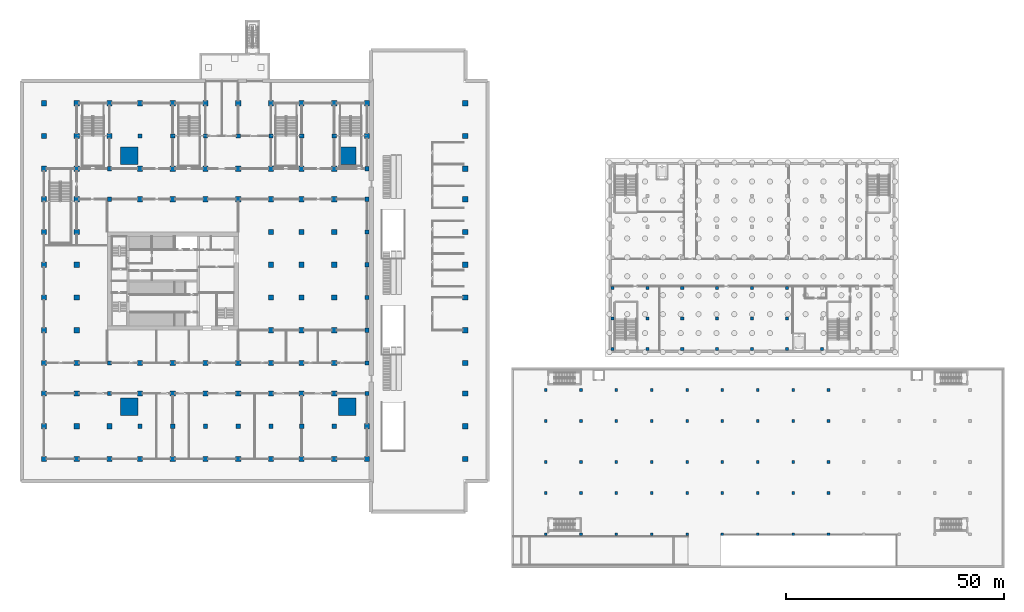
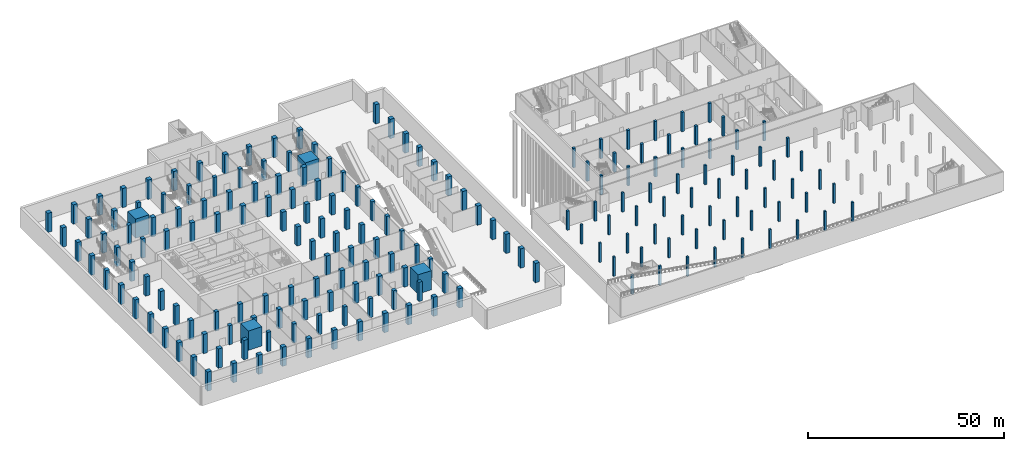
# One storey, part 2 of 45: 192 columns.
"""IFC4 building model written with IfcOpenShell, lengths in metres."""

from ifc_helpers import new_model, si_unit, direction, frame, origin, origin_2d, place, context, subcontext, project, spatial, rectangle, extrude, material, material_profile, profile_set, type_object, element, save


model = new_model("IFC4")

# Units and contexts
model_context = context("Model", 3, precision=1e-05, world=origin(), true_north=direction((0.0, 1.0)))
body_context = subcontext(model_context, "Body", "Model", "MODEL_VIEW")
ifc_project = project(units=[si_unit("LENGTHUNIT", "METRE"), si_unit("AREAUNIT", "SQUARE_METRE"), si_unit("VOLUMEUNIT", "CUBIC_METRE"), si_unit("PLANEANGLEUNIT", "RADIAN"), si_unit("MASSUNIT", "GRAM", prefix="KILO")], contexts=[model_context])

# Site, building, storey
site_placement = place(None, origin())
site = spatial("IfcSite", under=ifc_project, at=site_placement, CompositionType="ELEMENT")
building_placement = place(site_placement, origin())
building = spatial("IfcBuilding", under=site, at=building_placement, Name="Tamorin Gate", CompositionType="ELEMENT")
storey_placement = place(building_placement, frame((0.0, 0.0, -6.0)))
storey = spatial("IfcBuildingStorey", under=building, at=storey_placement, Name="B1", CompositionType="ELEMENT", Elevation=-6.0)

# Columns
ifc_material_1 = material(Name="Concrete C80/95", Category="concrete")
ifc_material_profile_1 = material_profile(ifc_material_1, rectangle(XDim=1.0, YDim=1.0, at=origin_2d()), Name="RC 1000x1000")
ifc_profile_set_1 = profile_set([ifc_material_profile_1], Name="Concrete C80/95")
column_type_1 = type_object("IfcColumnType", Name="RC column 1000x1000 C80/95", PredefinedType="COLUMN", material=ifc_profile_set_1)
for number, where, z_axis, x_axis, name in (
    (1, (30.5, 45.5, 0.0), (0.0, 0.0, 1.0), (1.0, 0.0, 0.0), "Ring column B1"),
    (2, (30.5, 52.5, 0.0), (0.0, 0.0, 1.0), (1.0, 0.0, 0.0), "Ring column B1"),
    (3, (30.5, 90.0, 0.0), (0.0, 0.0, 1.0), (1.0, 0.0, 0.0), "Ring column B1"),
    (4, (30.5, 97.0, 0.0), (0.0, 0.0, 1.0), (1.0, 0.0, 0.0), "Ring column B1"),
    (5, (37.5, 38.0, 0.0), (0.0, 0.0, 1.0), (1.0, 0.0, 0.0), "Ring column B1"),
    (6, (37.5, 104.5, 0.0), (0.0, 0.0, 1.0), (1.0, 0.0, 0.0), "Ring column B1"),
    (7, (45.0, 38.0, 0.0), (0.0, 0.0, 1.0), (1.0, 0.0, 0.0), "Ring column B1"),
    (8, (45.0, 104.5, 0.0), (0.0, 0.0, 1.0), (1.0, 0.0, 0.0), "Ring column B1"),
    (9, (52.5, 38.0, 0.0), (0.0, 0.0, 1.0), (1.0, 0.0, 0.0), "Ring column B1"),
    (10, (52.5, 104.5, 0.0), (0.0, 0.0, 1.0), (1.0, 0.0, 0.0), "Ring column B1"),
    (11, (60.0, 38.0, 0.0), (0.0, 0.0, 1.0), (1.0, 0.0, 0.0), "Ring column B1"),
    (12, (60.0, 104.5, 0.0), (0.0, 0.0, 1.0), (1.0, 0.0, 0.0), "Ring column B1"),
    (13, (67.5, 38.0, 0.0), (0.0, 0.0, 1.0), (1.0, 0.0, 0.0), "Ring column B1"),
    (14, (67.5, 104.5, 0.0), (0.0, 0.0, 1.0), (1.0, 0.0, 0.0), "Ring column B1"),
    (15, (74.5, 38.0, 0.0), (0.0, 0.0, 1.0), (1.0, 0.0, 0.0), "Ring column B1"),
    (16, (74.5, 104.5, 0.0), (0.0, 0.0, 1.0), (1.0, 0.0, 0.0), "Ring column B1"),
    (17, (82.0, 38.0, 0.0), (0.0, 0.0, 1.0), (1.0, 0.0, 0.0), "Ring column B1"),
    (18, (82.0, 104.5, 0.0), (0.0, 0.0, 1.0), (1.0, 0.0, 0.0), "Ring column B1"),
    (19, (89.5, 45.5, 0.0), (0.0, 0.0, 1.0), (1.0, 0.0, 0.0), "Ring column B1"),
    (20, (89.5, 52.5, 0.0), (0.0, 0.0, 1.0), (1.0, 0.0, 0.0), "Ring column B1"),
    (21, (89.5, 60.0, 0.0), (0.0, 0.0, 1.0), (1.0, 0.0, 0.0), "Ring column B1"),
    (22, (89.5, 67.5, 0.0), (0.0, 0.0, 1.0), (1.0, 0.0, 0.0), "Ring column B1"),
    (23, (89.5, 75.0, 0.0), (0.0, 0.0, 1.0), (1.0, 0.0, 0.0), "Ring column B1"),
    (24, (89.5, 82.5, 0.0), (0.0, 0.0, 1.0), (1.0, 0.0, 0.0), "Ring column B1"),
    (25, (89.5, 90.0, 0.0), (0.0, 0.0, 1.0), (1.0, 0.0, 0.0), "Ring column B1"),
    (26, (89.5, 97.0, 0.0), (0.0, 0.0, 1.0), (1.0, 0.0, 0.0), "Ring column B1"),
):
    element("IfcColumn", number, at=place(storey_placement, frame(where, z_axis=z_axis, x_axis=x_axis)), inside=storey, type_object=column_type_1, Name=name, PredefinedType="COLUMN", context=body_context, shape_type="SweptSolid", body=[
        extrude(rectangle(XDim=1.0, YDim=1.0, at=origin_2d()), origin(), (0.0, 0.0, 1.0), 6.0),
    ])
ifc_material_profile_2 = material_profile(ifc_material_1, rectangle(XDim=1.199951171875, YDim=1.199951171875, at=origin_2d()), Name="RC 1200x1200")
ifc_profile_set_2 = profile_set([ifc_material_profile_2], Name="Concrete C80/95")
column_type_2 = type_object("IfcColumnType", Name="RC column 1200x1200 C80/95", PredefinedType="COLUMN", material=ifc_profile_set_2)
for number, where, z_axis, x_axis, name in (
    (27, (37.5, 45.5, 0.0), (0.0, 0.0, 1.0), (1.0, 0.0, 0.0), "Interior column B1"),
    (28, (37.5, 52.5, 0.0), (0.0, 0.0, 1.0), (1.0, 0.0, 0.0), "Interior column B1"),
    (29, (37.5, 90.0, 0.0), (0.0, 0.0, 1.0), (1.0, 0.0, 0.0), "Interior column B1"),
    (30, (37.5, 97.0, 0.0), (0.0, 0.0, 1.0), (1.0, 0.0, 0.0), "Interior column B1"),
    (31, (45.0, 45.5, 0.0), (0.0, 0.0, 1.0), (1.0, 0.0, 0.0), "Interior column B1"),
    (32, (45.0, 52.5, 0.0), (0.0, 0.0, 1.0), (1.0, 0.0, 0.0), "Interior column B1"),
    (33, (45.0, 90.0, 0.0), (0.0, 0.0, 1.0), (1.0, 0.0, 0.0), "Interior column B1"),
    (34, (45.0, 97.0, 0.0), (0.0, 0.0, 1.0), (1.0, 0.0, 0.0), "Interior column B1"),
    (35, (52.5, 45.5, 0.0), (0.0, 0.0, 1.0), (1.0, 0.0, 0.0), "Interior column B1"),
    (36, (52.5, 52.5, 0.0), (0.0, 0.0, 1.0), (1.0, 0.0, 0.0), "Interior column B1"),
    (37, (52.5, 90.0, 0.0), (0.0, 0.0, 1.0), (1.0, 0.0, 0.0), "Interior column B1"),
    (38, (52.5, 97.0, 0.0), (0.0, 0.0, 1.0), (1.0, 0.0, 0.0), "Interior column B1"),
    (39, (60.0, 45.5, 0.0), (0.0, 0.0, 1.0), (1.0, 0.0, 0.0), "Interior column B1"),
    (40, (60.0, 52.5, 0.0), (0.0, 0.0, 1.0), (1.0, 0.0, 0.0), "Interior column B1"),
    (41, (60.0, 90.0, 0.0), (0.0, 0.0, 1.0), (1.0, 0.0, 0.0), "Interior column B1"),
    (42, (60.0, 97.0, 0.0), (0.0, 0.0, 1.0), (1.0, 0.0, 0.0), "Interior column B1"),
    (43, (67.5, 45.5, 0.0), (0.0, 0.0, 1.0), (1.0, 0.0, 0.0), "Interior column B1"),
    (44, (67.5, 52.5, 0.0), (0.0, 0.0, 1.0), (1.0, 0.0, 0.0), "Interior column B1"),
    (45, (67.5, 60.0, 0.0), (0.0, 0.0, 1.0), (1.0, 0.0, 0.0), "Interior column B1"),
    (46, (67.5, 67.5, 0.0), (0.0, 0.0, 1.0), (1.0, 0.0, 0.0), "Interior column B1"),
    (47, (67.5, 75.0, 0.0), (0.0, 0.0, 1.0), (1.0, 0.0, 0.0), "Interior column B1"),
    (48, (67.5, 82.5, 0.0), (0.0, 0.0, 1.0), (1.0, 0.0, 0.0), "Interior column B1"),
    (49, (67.5, 90.0, 0.0), (0.0, 0.0, 1.0), (1.0, 0.0, 0.0), "Interior column B1"),
    (50, (67.5, 97.0, 0.0), (0.0, 0.0, 1.0), (1.0, 0.0, 0.0), "Interior column B1"),
    (51, (74.5, 45.5, 0.0), (0.0, 0.0, 1.0), (1.0, 0.0, 0.0), "Interior column B1"),
    (52, (74.5, 52.5, 0.0), (0.0, 0.0, 1.0), (1.0, 0.0, 0.0), "Interior column B1"),
    (53, (74.5, 60.0, 0.0), (0.0, 0.0, 1.0), (1.0, 0.0, 0.0), "Interior column B1"),
    (54, (74.5, 67.5, 0.0), (0.0, 0.0, 1.0), (1.0, 0.0, 0.0), "Interior column B1"),
    (55, (74.5, 75.0, 0.0), (0.0, 0.0, 1.0), (1.0, 0.0, 0.0), "Interior column B1"),
    (56, (74.5, 82.5, 0.0), (0.0, 0.0, 1.0), (1.0, 0.0, 0.0), "Interior column B1"),
    (57, (74.5, 90.0, 0.0), (0.0, 0.0, 1.0), (1.0, 0.0, 0.0), "Interior column B1"),
    (58, (74.5, 97.0, 0.0), (0.0, 0.0, 1.0), (1.0, 0.0, 0.0), "Interior column B1"),
    (59, (82.0, 45.5, 0.0), (0.0, 0.0, 1.0), (1.0, 0.0, 0.0), "Interior column B1"),
    (60, (82.0, 52.5, 0.0), (0.0, 0.0, 1.0), (1.0, 0.0, 0.0), "Interior column B1"),
    (61, (82.0, 60.0, 0.0), (0.0, 0.0, 1.0), (1.0, 0.0, 0.0), "Interior column B1"),
    (62, (82.0, 67.5, 0.0), (0.0, 0.0, 1.0), (1.0, 0.0, 0.0), "Interior column B1"),
    (63, (82.0, 75.0, 0.0), (0.0, 0.0, 1.0), (1.0, 0.0, 0.0), "Interior column B1"),
    (64, (82.0, 82.5, 0.0), (0.0, 0.0, 1.0), (1.0, 0.0, 0.0), "Interior column B1"),
    (65, (82.0, 90.0, 0.0), (0.0, 0.0, 1.0), (1.0, 0.0, 0.0), "Interior column B1"),
    (66, (82.0, 97.0, 0.0), (0.0, 0.0, 1.0), (1.0, 0.0, 0.0), "Interior column B1"),
    (67, (15.5, 30.5, 0.0), (0.0, 0.0, 1.0), (1.0, 0.0, 0.0), "Podium column B1"),
    (68, (15.5, 38.0, 0.0), (0.0, 0.0, 1.0), (1.0, 0.0, 0.0), "Podium column B1"),
    (69, (15.5, 45.5, 0.0), (0.0, 0.0, 1.0), (1.0, 0.0, 0.0), "Podium column B1"),
    (70, (15.5, 52.5, 0.0), (0.0, 0.0, 1.0), (1.0, 0.0, 0.0), "Podium column B1"),
    (71, (15.5, 60.0, 0.0), (0.0, 0.0, 1.0), (1.0, 0.0, 0.0), "Podium column B1"),
    (72, (15.5, 67.5, 0.0), (0.0, 0.0, 1.0), (1.0, 0.0, 0.0), "Podium column B1"),
    (73, (15.5, 75.0, 0.0), (0.0, 0.0, 1.0), (1.0, 0.0, 0.0), "Podium column B1"),
    (74, (15.5, 82.5, 0.0), (0.0, 0.0, 1.0), (1.0, 0.0, 0.0), "Podium column B1"),
    (75, (15.5, 90.0, 0.0), (0.0, 0.0, 1.0), (1.0, 0.0, 0.0), "Podium column B1"),
    (76, (15.5, 97.0, 0.0), (0.0, 0.0, 1.0), (1.0, 0.0, 0.0), "Podium column B1"),
    (77, (15.5, 104.5, 0.0), (0.0, 0.0, 1.0), (1.0, 0.0, 0.0), "Podium column B1"),
    (78, (15.5, 112.0, 0.0), (0.0, 0.0, 1.0), (1.0, 0.0, 0.0), "Podium column B1"),
    (79, (23.0, 30.5, 0.0), (0.0, 0.0, 1.0), (1.0, 0.0, 0.0), "Podium column B1"),
    (80, (23.0, 38.0, 0.0), (0.0, 0.0, 1.0), (1.0, 0.0, 0.0), "Podium column B1"),
    (81, (23.0, 45.5, 0.0), (0.0, 0.0, 1.0), (1.0, 0.0, 0.0), "Podium column B1"),
    (82, (23.0, 52.5, 0.0), (0.0, 0.0, 1.0), (1.0, 0.0, 0.0), "Podium column B1"),
    (83, (23.0, 60.0, 0.0), (0.0, 0.0, 1.0), (1.0, 0.0, 0.0), "Podium column B1"),
    (84, (23.0, 67.5, 0.0), (0.0, 0.0, 1.0), (1.0, 0.0, 0.0), "Podium column B1"),
    (85, (23.0, 75.0, 0.0), (0.0, 0.0, 1.0), (1.0, 0.0, 0.0), "Podium column B1"),
    (86, (23.0, 82.5, 0.0), (0.0, 0.0, 1.0), (1.0, 0.0, 0.0), "Podium column B1"),
    (87, (23.0, 90.0, 0.0), (0.0, 0.0, 1.0), (1.0, 0.0, 0.0), "Podium column B1"),
    (88, (23.0, 97.0, 0.0), (0.0, 0.0, 1.0), (1.0, 0.0, 0.0), "Podium column B1"),
    (89, (23.0, 104.5, 0.0), (0.0, 0.0, 1.0), (1.0, 0.0, 0.0), "Podium column B1"),
    (90, (23.0, 112.0, 0.0), (0.0, 0.0, 1.0), (1.0, 0.0, 0.0), "Podium column B1"),
    (91, (30.5, 30.5, 0.0), (0.0, 0.0, 1.0), (1.0, 0.0, 0.0), "Podium column B1"),
    (92, (30.5, 38.0, 0.0), (0.0, 0.0, 1.0), (1.0, 0.0, 0.0), "Podium column B1"),
    (93, (30.5, 104.5, 0.0), (0.0, 0.0, 1.0), (1.0, 0.0, 0.0), "Podium column B1"),
    (94, (30.5, 112.0, 0.0), (0.0, 0.0, 1.0), (1.0, 0.0, 0.0), "Podium column B1"),
    (95, (37.5, 30.5, 0.0), (0.0, 0.0, 1.0), (1.0, 0.0, 0.0), "Podium column B1"),
    (96, (37.5, 112.0, 0.0), (0.0, 0.0, 1.0), (1.0, 0.0, 0.0), "Podium column B1"),
    (97, (45.0, 30.5, 0.0), (0.0, 0.0, 1.0), (1.0, 0.0, 0.0), "Podium column B1"),
    (98, (45.0, 112.0, 0.0), (0.0, 0.0, 1.0), (1.0, 0.0, 0.0), "Podium column B1"),
    (99, (52.5, 30.5, 0.0), (0.0, 0.0, 1.0), (1.0, 0.0, 0.0), "Podium column B1"),
    (100, (52.5, 112.0, 0.0), (0.0, 0.0, 1.0), (1.0, 0.0, 0.0), "Podium column B1"),
    (101, (60.0, 30.5, 0.0), (0.0, 0.0, 1.0), (1.0, 0.0, 0.0), "Podium column B1"),
    (102, (60.0, 112.0, 0.0), (0.0, 0.0, 1.0), (1.0, 0.0, 0.0), "Podium column B1"),
    (103, (67.5, 30.5, 0.0), (0.0, 0.0, 1.0), (1.0, 0.0, 0.0), "Podium column B1"),
    (104, (67.5, 112.0, 0.0), (0.0, 0.0, 1.0), (1.0, 0.0, 0.0), "Podium column B1"),
    (105, (74.5, 30.5, 0.0), (0.0, 0.0, 1.0), (1.0, 0.0, 0.0), "Podium column B1"),
    (106, (74.5, 112.0, 0.0), (0.0, 0.0, 1.0), (1.0, 0.0, 0.0), "Podium column B1"),
    (107, (82.0, 30.5, 0.0), (0.0, 0.0, 1.0), (1.0, 0.0, 0.0), "Podium column B1"),
    (108, (82.0, 112.0, 0.0), (0.0, 0.0, 1.0), (1.0, 0.0, 0.0), "Podium column B1"),
    (109, (89.5, 30.5, 0.0), (0.0, 0.0, 1.0), (1.0, 0.0, 0.0), "Podium column B1"),
    (110, (89.5, 38.0, 0.0), (0.0, 0.0, 1.0), (1.0, 0.0, 0.0), "Podium column B1"),
    (111, (89.5, 104.5, 0.0), (0.0, 0.0, 1.0), (1.0, 0.0, 0.0), "Podium column B1"),
    (112, (89.5, 112.0, 0.0), (0.0, 0.0, 1.0), (1.0, 0.0, 0.0), "Podium column B1"),
    (113, (112.0, 30.5, 0.0), (0.0, 0.0, 1.0), (1.0, 0.0, 0.0), "Podium column B1"),
    (114, (112.0, 38.0, 0.0), (0.0, 0.0, 1.0), (1.0, 0.0, 0.0), "Podium column B1"),
    (115, (112.0, 45.5, 0.0), (0.0, 0.0, 1.0), (1.0, 0.0, 0.0), "Podium column B1"),
    (116, (112.0, 52.5, 0.0), (0.0, 0.0, 1.0), (1.0, 0.0, 0.0), "Podium column B1"),
    (117, (112.0, 60.0, 0.0), (0.0, 0.0, 1.0), (1.0, 0.0, 0.0), "Podium column B1"),
    (118, (112.0, 67.5, 0.0), (0.0, 0.0, 1.0), (1.0, 0.0, 0.0), "Podium column B1"),
    (119, (112.0, 75.0, 0.0), (0.0, 0.0, 1.0), (1.0, 0.0, 0.0), "Podium column B1"),
    (120, (112.0, 82.5, 0.0), (0.0, 0.0, 1.0), (1.0, 0.0, 0.0), "Podium column B1"),
    (121, (112.0, 90.0, 0.0), (0.0, 0.0, 1.0), (1.0, 0.0, 0.0), "Podium column B1"),
    (122, (112.0, 97.0, 0.0), (0.0, 0.0, 1.0), (1.0, 0.0, 0.0), "Podium column B1"),
    (123, (112.0, 104.5, 0.0), (0.0, 0.0, 1.0), (1.0, 0.0, 0.0), "Podium column B1"),
    (124, (112.0, 112.0, 0.0), (0.0, 0.0, 1.0), (1.0, 0.0, 0.0), "Podium column B1"),
):
    element("IfcColumn", number, at=place(storey_placement, frame(where, z_axis=z_axis, x_axis=x_axis)), inside=storey, type_object=column_type_2, Name=name, PredefinedType="COLUMN", context=body_context, shape_type="SweptSolid", body=[
        extrude(rectangle(XDim=1.199951171875, YDim=1.199951171875, at=origin_2d()), origin(), (0.0, 0.0, 1.0), 6.0),
    ])
ifc_material_profile_3 = material_profile(ifc_material_1, rectangle(XDim=4.0, YDim=4.0, at=origin_2d()), Name="RC 4000x4000")
ifc_profile_set_3 = profile_set([ifc_material_profile_3], Name="Concrete C80/95")
column_type_3 = type_object("IfcColumnType", Name="RC column 4000x4000 C80/95", PredefinedType="COLUMN", material=ifc_profile_set_3)
for number, where, z_axis, x_axis, name in (
    (125, (35.0, 42.5, 0.0), (0.0, 0.0, 1.0), (1.0, 0.0, 0.0), "Mega column SW B1"),
    (126, (85.0, 42.5, 0.0), (0.0, 0.0, 1.0), (1.0, 0.0, 0.0), "Mega column SE B1"),
    (127, (35.0, 100.0, 0.0), (0.0, 0.0, 1.0), (1.0, 0.0, 0.0), "Mega column NW B1"),
    (128, (85.0, 100.0, 0.0), (0.0, 0.0, 1.0), (1.0, 0.0, 0.0), "Mega column NE B1"),
):
    element("IfcColumn", number, at=place(storey_placement, frame(where, z_axis=z_axis, x_axis=x_axis)), inside=storey, type_object=column_type_3, Name=name, PredefinedType="COLUMN", context=body_context, shape_type="SweptSolid", body=[
        extrude(rectangle(XDim=4.0, YDim=4.0, at=origin_2d()), origin(), (0.0, 0.0, 1.0), 6.0),
    ])
ifc_material_2 = material(Name="Concrete C50/60", Category="concrete")
ifc_material_profile_4 = material_profile(ifc_material_2, rectangle(XDim=0.60009765625, YDim=0.60009765625, at=origin_2d()))
ifc_profile_set_4 = profile_set([ifc_material_profile_4], Name="Concrete C50/60")
column_type_4 = type_object("IfcColumnType", Name="RC column 600x600 C50/60", PredefinedType="COLUMN", material=ifc_profile_set_4)
for number, where, z_axis, x_axis, name in (
    (129, (130.39990234375, 13.300048828125, 0.0), (0.0, 0.0, 1.0), (1.0, 0.0, 0.0), "Car park column B1"),
    (130, (130.39990234375, 22.699951171875, 0.0), (0.0, 0.0, 1.0), (1.0, 0.0, 0.0), "Car park column B1"),
    (131, (130.39990234375, 29.800048828125, 0.0), (0.0, 0.0, 1.0), (1.0, 0.0, 0.0), "Car park column B1"),
    (132, (130.39990234375, 39.199951171875, 0.0), (0.0, 0.0, 1.0), (1.0, 0.0, 0.0), "Car park column B1"),
    (133, (130.39990234375, 46.300048828125, 0.0), (0.0, 0.0, 1.0), (1.0, 0.0, 0.0), "Car park column B1"),
    (134, (138.5, 13.300048828125, 0.0), (0.0, 0.0, 1.0), (1.0, 0.0, 0.0), "Car park column B1"),
    (135, (138.5, 22.699951171875, 0.0), (0.0, 0.0, 1.0), (1.0, 0.0, 0.0), "Car park column B1"),
    (136, (138.5, 29.800048828125, 0.0), (0.0, 0.0, 1.0), (1.0, 0.0, 0.0), "Car park column B1"),
    (137, (138.5, 39.199951171875, 0.0), (0.0, 0.0, 1.0), (1.0, 0.0, 0.0), "Car park column B1"),
    (138, (138.5, 46.300048828125, 0.0), (0.0, 0.0, 1.0), (1.0, 0.0, 0.0), "Car park column B1"),
    (139, (146.60009765625, 13.300048828125, 0.0), (0.0, 0.0, 1.0), (1.0, 0.0, 0.0), "Car park column B1"),
    (140, (146.60009765625, 22.699951171875, 0.0), (0.0, 0.0, 1.0), (1.0, 0.0, 0.0), "Car park column B1"),
    (141, (146.60009765625, 29.800048828125, 0.0), (0.0, 0.0, 1.0), (1.0, 0.0, 0.0), "Car park column B1"),
    (142, (146.60009765625, 39.199951171875, 0.0), (0.0, 0.0, 1.0), (1.0, 0.0, 0.0), "Car park column B1"),
    (143, (146.60009765625, 46.300048828125, 0.0), (0.0, 0.0, 1.0), (1.0, 0.0, 0.0), "Car park column B1"),
    (144, (154.699951171875, 13.300048828125, 0.0), (0.0, 0.0, 1.0), (1.0, 0.0, 0.0), "Car park column B1"),
    (145, (154.699951171875, 22.699951171875, 0.0), (0.0, 0.0, 1.0), (1.0, 0.0, 0.0), "Car park column B1"),
    (146, (154.699951171875, 29.800048828125, 0.0), (0.0, 0.0, 1.0), (1.0, 0.0, 0.0), "Car park column B1"),
    (147, (154.699951171875, 39.199951171875, 0.0), (0.0, 0.0, 1.0), (1.0, 0.0, 0.0), "Car park column B1"),
    (148, (154.699951171875, 46.300048828125, 0.0), (0.0, 0.0, 1.0), (1.0, 0.0, 0.0), "Car park column B1"),
    (149, (162.800048828125, 13.300048828125, 0.0), (0.0, 0.0, 1.0), (1.0, 0.0, 0.0), "Car park column B1"),
    (150, (162.800048828125, 22.699951171875, 0.0), (0.0, 0.0, 1.0), (1.0, 0.0, 0.0), "Car park column B1"),
    (151, (162.800048828125, 29.800048828125, 0.0), (0.0, 0.0, 1.0), (1.0, 0.0, 0.0), "Car park column B1"),
    (152, (162.800048828125, 39.199951171875, 0.0), (0.0, 0.0, 1.0), (1.0, 0.0, 0.0), "Car park column B1"),
    (153, (162.800048828125, 46.300048828125, 0.0), (0.0, 0.0, 1.0), (1.0, 0.0, 0.0), "Car park column B1"),
    (154, (170.89990234375, 13.300048828125, 0.0), (0.0, 0.0, 1.0), (1.0, 0.0, 0.0), "Car park column B1"),
    (155, (170.89990234375, 22.699951171875, 0.0), (0.0, 0.0, 1.0), (1.0, 0.0, 0.0), "Car park column B1"),
    (156, (170.89990234375, 29.800048828125, 0.0), (0.0, 0.0, 1.0), (1.0, 0.0, 0.0), "Car park column B1"),
    (157, (170.89990234375, 39.199951171875, 0.0), (0.0, 0.0, 1.0), (1.0, 0.0, 0.0), "Car park column B1"),
    (158, (170.89990234375, 46.300048828125, 0.0), (0.0, 0.0, 1.0), (1.0, 0.0, 0.0), "Car park column B1"),
    (159, (179.0, 13.300048828125, 0.0), (0.0, 0.0, 1.0), (1.0, 0.0, 0.0), "Car park column B1"),
    (160, (179.0, 22.699951171875, 0.0), (0.0, 0.0, 1.0), (1.0, 0.0, 0.0), "Car park column B1"),
    (161, (179.0, 29.800048828125, 0.0), (0.0, 0.0, 1.0), (1.0, 0.0, 0.0), "Car park column B1"),
    (162, (179.0, 39.199951171875, 0.0), (0.0, 0.0, 1.0), (1.0, 0.0, 0.0), "Car park column B1"),
    (163, (179.0, 46.300048828125, 0.0), (0.0, 0.0, 1.0), (1.0, 0.0, 0.0), "Car park column B1"),
    (164, (187.10009765625, 13.300048828125, 0.0), (0.0, 0.0, 1.0), (1.0, 0.0, 0.0), "Car park column B1"),
    (165, (187.10009765625, 22.699951171875, 0.0), (0.0, 0.0, 1.0), (1.0, 0.0, 0.0), "Car park column B1"),
    (166, (187.10009765625, 29.800048828125, 0.0), (0.0, 0.0, 1.0), (1.0, 0.0, 0.0), "Car park column B1"),
    (167, (187.10009765625, 39.199951171875, 0.0), (0.0, 0.0, 1.0), (1.0, 0.0, 0.0), "Car park column B1"),
    (168, (187.10009765625, 46.300048828125, 0.0), (0.0, 0.0, 1.0), (1.0, 0.0, 0.0), "Car park column B1"),
    (169, (195.199951171875, 13.300048828125, 0.0), (0.0, 0.0, 1.0), (1.0, 0.0, 0.0), "Car park column B1"),
    (170, (195.199951171875, 22.699951171875, 0.0), (0.0, 0.0, 1.0), (1.0, 0.0, 0.0), "Car park column B1"),
    (171, (195.199951171875, 29.800048828125, 0.0), (0.0, 0.0, 1.0), (1.0, 0.0, 0.0), "Car park column B1"),
    (172, (195.199951171875, 39.199951171875, 0.0), (0.0, 0.0, 1.0), (1.0, 0.0, 0.0), "Car park column B1"),
    (173, (195.199951171875, 46.300048828125, 0.0), (0.0, 0.0, 1.0), (1.0, 0.0, 0.0), "Car park column B1"),
):
    element("IfcColumn", number, at=place(storey_placement, frame(where, z_axis=z_axis, x_axis=x_axis)), inside=storey, type_object=column_type_4, Name=name, PredefinedType="COLUMN", context=body_context, shape_type="SweptSolid", body=[
        extrude(rectangle(XDim=0.60009765625, YDim=0.60009765625, at=origin_2d()), origin(), (0.0, 0.0, 1.0), 6.0),
    ])
ifc_material_profile_5 = material_profile(ifc_material_2, rectangle(XDim=0.699951171875, YDim=0.699951171875, at=origin_2d()), Name="RC 700x700")
ifc_profile_set_5 = profile_set([ifc_material_profile_5], Name="Concrete C50/60")
column_type_5 = type_object("IfcColumnType", Name="RC column 700x700 C50/60", PredefinedType="COLUMN", material=ifc_profile_set_5)
for number, where, z_axis, x_axis, name in (
    (174, (145.699951171875, 55.699951171875, 0.0), (0.0, 0.0, 1.0), (1.0, 0.0, 0.0), "Museum column B1"),
    (175, (145.699951171875, 62.699951171875, 0.0), (0.0, 0.0, 1.0), (1.0, 0.0, 0.0), "Museum column B1"),
    (176, (145.699951171875, 69.699951171875, 0.0), (0.0, 0.0, 1.0), (1.0, 0.0, 0.0), "Museum column B1"),
    (177, (153.699951171875, 55.699951171875, 0.0), (0.0, 0.0, 1.0), (1.0, 0.0, 0.0), "Museum column B1"),
    (178, (153.699951171875, 62.699951171875, 0.0), (0.0, 0.0, 1.0), (1.0, 0.0, 0.0), "Museum column B1"),
    (179, (153.699951171875, 69.699951171875, 0.0), (0.0, 0.0, 1.0), (1.0, 0.0, 0.0), "Museum column B1"),
    (180, (161.699951171875, 55.699951171875, 0.0), (0.0, 0.0, 1.0), (1.0, 0.0, 0.0), "Museum column B1"),
    (181, (161.699951171875, 62.699951171875, 0.0), (0.0, 0.0, 1.0), (1.0, 0.0, 0.0), "Museum column B1"),
    (182, (161.699951171875, 69.699951171875, 0.0), (0.0, 0.0, 1.0), (1.0, 0.0, 0.0), "Museum column B1"),
    (183, (169.699951171875, 55.699951171875, 0.0), (0.0, 0.0, 1.0), (1.0, 0.0, 0.0), "Museum column B1"),
    (184, (169.699951171875, 62.699951171875, 0.0), (0.0, 0.0, 1.0), (1.0, 0.0, 0.0), "Museum column B1"),
    (185, (169.699951171875, 69.699951171875, 0.0), (0.0, 0.0, 1.0), (1.0, 0.0, 0.0), "Museum column B1"),
    (186, (177.699951171875, 55.699951171875, 0.0), (0.0, 0.0, 1.0), (1.0, 0.0, 0.0), "Museum column B1"),
    (187, (177.699951171875, 62.699951171875, 0.0), (0.0, 0.0, 1.0), (1.0, 0.0, 0.0), "Museum column B1"),
    (188, (177.699951171875, 69.699951171875, 0.0), (0.0, 0.0, 1.0), (1.0, 0.0, 0.0), "Museum column B1"),
    (189, (185.699951171875, 55.699951171875, 0.0), (0.0, 0.0, 1.0), (1.0, 0.0, 0.0), "Museum column B1"),
    (190, (185.699951171875, 62.699951171875, 0.0), (0.0, 0.0, 1.0), (1.0, 0.0, 0.0), "Museum column B1"),
    (191, (185.699951171875, 69.699951171875, 0.0), (0.0, 0.0, 1.0), (1.0, 0.0, 0.0), "Museum column B1"),
    (192, (193.699951171875, 55.699951171875, 0.0), (0.0, 0.0, 1.0), (1.0, 0.0, 0.0), "Museum column B1"),
):
    element("IfcColumn", number, at=place(storey_placement, frame(where, z_axis=z_axis, x_axis=x_axis)), inside=storey, type_object=column_type_5, Name=name, PredefinedType="COLUMN", context=body_context, shape_type="SweptSolid", body=[
        extrude(rectangle(XDim=0.699951171875, YDim=0.699951171875, at=origin_2d()), origin(), (0.0, 0.0, 1.0), 6.0),
    ])

save(model, "model.ifc")
